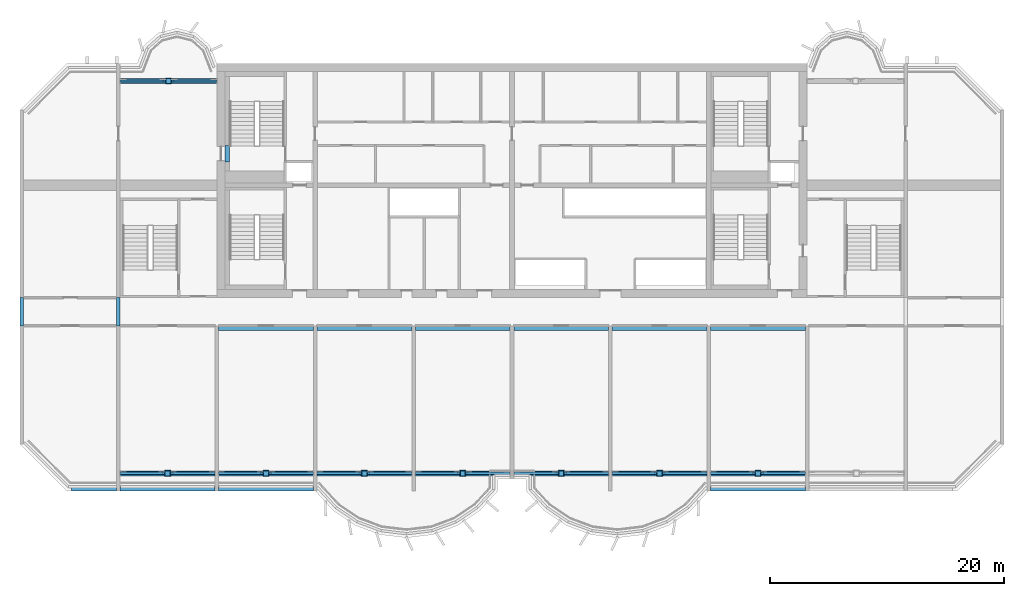
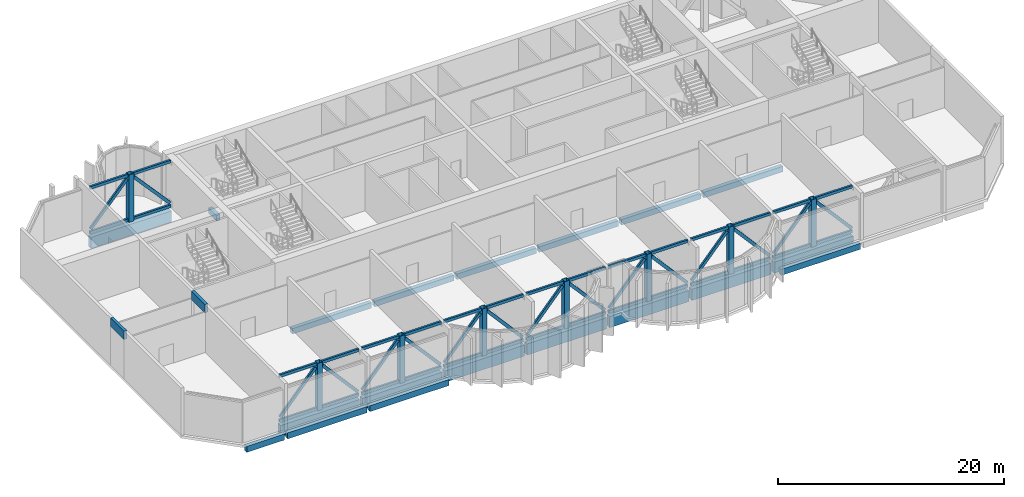
# One storey, part 1 of 15: 56 members, 21 beams.
"""IFC4 building model written with IfcOpenShell, lengths in metres."""

from ifc_helpers import new_model, si_unit, direction, frame, origin, origin_2d, place, context, subcontext, project, spatial, rectangle, hollow_rectangle, extrude, source, transform, mapped, material, material_profile, profile_set, type_object, element, save


model = new_model("IFC4")

# Units and contexts
model_context = context("Model", 3, precision=1e-05, world=origin(), true_north=direction((0.0, 1.0)))
body_context = subcontext(model_context, "Body", "Model", "MODEL_VIEW")
ifc_project = project(units=[si_unit("LENGTHUNIT", "METRE"), si_unit("AREAUNIT", "SQUARE_METRE"), si_unit("VOLUMEUNIT", "CUBIC_METRE"), si_unit("PLANEANGLEUNIT", "RADIAN"), si_unit("MASSUNIT", "GRAM", prefix="KILO")], contexts=[model_context])

# Site, building, storey
site_placement = place(None, origin())
site = spatial("IfcSite", under=ifc_project, at=site_placement, CompositionType="ELEMENT")
building_placement = place(site_placement, origin())
building = spatial("IfcBuilding", under=site, at=building_placement, Name="Vanashikhar Sky Hotel", CompositionType="ELEMENT")
storey_placement = place(building_placement, frame((0.0, 0.0, 201.0)))
storey = spatial("IfcBuildingStorey", under=building, at=storey_placement, Name="L49", CompositionType="ELEMENT", Elevation=201.0)

# Beams
ifc_material_1 = material(Name="Concrete M50", Category="concrete")
ifc_material_profile_1 = material_profile(ifc_material_1, rectangle(XDim=0.300048828125, YDim=0.89990234375, at=origin_2d()))
ifc_profile_set_1 = profile_set([ifc_material_profile_1], Name="RC 300x900 beam Concrete M50")
beam_type_1 = type_object("IfcBeamType", Name="RC 300x900 beam Concrete M50", PredefinedType="LINTEL", material=ifc_profile_set_1)
shared_shape_1 = source(origin(), body_context, "Body", "SweptSolid", [
    extrude(rectangle(XDim=0.300048828125, YDim=0.89990234375, at=origin_2d()), origin(), (0.0, 0.0, 1.0), 2.39990234375),
])
for number, where, z_axis, x_axis, name in (
    (1, (8.550048828125, 19.60009765625, 4.669921875), (0.0, 1.0, 0.0), (-1.0, 0.0, 0.0), "LB-L49-XW02"),
    (2, (16.800048828125, 19.60009765625, 4.669921875), (0.0, 1.0, 0.0), (-1.0, 0.0, 0.0), "LB-L49-XW03"),
):
    element("IfcBeam", number, at=place(storey_placement, frame(where, z_axis=z_axis, x_axis=x_axis)), inside=storey, type_object=beam_type_1, Name=name, PredefinedType="LINTEL", context=body_context, shape_type="MappedRepresentation", body=[
        mapped(shared_shape_1, transform((0.0, 0.0, 0.0), scale=1.0)),
    ])
ifc_material_profile_2 = material_profile(ifc_material_1, rectangle(XDim=0.39990234375, YDim=0.64990234375, at=origin_2d()))
ifc_profile_set_2 = profile_set([ifc_material_profile_2], Name="RC 400x650 beam Concrete M50")
beam_type_2 = type_object("IfcBeamType", Name="RC 400x650 beam Concrete M50", PredefinedType="BEAM", material=ifc_profile_set_2)
shared_shape_2 = source(origin(), body_context, "Body", "SweptSolid", [
    extrude(rectangle(XDim=0.39990234375, YDim=0.64990234375, at=origin_2d()), origin(), (0.0, 0.0, 1.0), 8.10009765625),
])
beam_1_placement = place(storey_placement, frame((16.949951171875, 5.699951171875, -0.60498046875), z_axis=(1.0, 0.0, 0.0), x_axis=(0.0, 1.0, 0.0)))
element("IfcBeam", 3, at=beam_1_placement, inside=storey, type_object=beam_type_2, Name="EB-L49-F01", PredefinedType="BEAM", context=body_context, shape_type="MappedRepresentation", body=[
    mapped(shared_shape_2, transform((0.0, 0.0, 0.0), scale=1.0)),
])
shared_shape_3 = source(origin(), body_context, "Body", "SweptSolid", [
    extrude(rectangle(XDim=0.39990234375, YDim=0.64990234375, at=origin_2d()), origin(), (0.0, 0.0, 1.0), 8.099853515625),
])
for number, where, z_axis, x_axis, name in (
    (4, (25.35009765625, 5.699951171875, -0.60498046875), (1.0, 0.0, 0.0), (0.0, 1.0, 0.0), "EB-L49-F02"),
    (5, (67.35009765625, 5.699951171875, -0.60498046875), (1.0, 0.0, 0.0), (0.0, 1.0, 0.0), "EB-L49-F04"),
):
    element("IfcBeam", number, at=place(storey_placement, frame(where, z_axis=z_axis, x_axis=x_axis)), inside=storey, type_object=beam_type_2, Name=name, PredefinedType="BEAM", context=body_context, shape_type="MappedRepresentation", body=[
        mapped(shared_shape_3, transform((0.0, 0.0, 0.0), scale=1.0)),
    ])
ifc_material_profile_3 = material_profile(ifc_material_1, rectangle(XDim=0.39990234375, YDim=0.64990234375, at=origin_2d()))
ifc_profile_set_3 = profile_set([ifc_material_profile_3], Name="RC 400x650 cantilever beam Concrete M50")
beam_type_3 = type_object("IfcBeamType", Name="RC 400x650 cantilever beam Concrete M50", PredefinedType="SPANDREL", material=ifc_profile_set_3)
shared_shape_4 = source(origin(), body_context, "Body", "SweptSolid", [
    extrude(rectangle(XDim=0.39990234375, YDim=0.64990234375, at=origin_2d()), origin(), (0.0, 0.0, 1.0), 3.849853515625),
])
beam_2_placement = place(storey_placement, frame((12.800048828125, 5.699951171875, -0.60498046875), z_axis=(1.0, 0.0, 0.0), x_axis=(0.0, 1.0, 0.0)))
element("IfcBeam", 6, at=beam_2_placement, inside=storey, type_object=beam_type_3, Name="EB-L49-F03", PredefinedType="SPANDREL", context=body_context, shape_type="MappedRepresentation", body=[
    mapped(shared_shape_4, transform((0.0, 0.0, 0.0), scale=1.0)),
])
ifc_material_profile_4 = material_profile(ifc_material_1, rectangle(XDim=0.39990234375, YDim=0.60009765625, at=origin_2d()))
ifc_profile_set_4 = profile_set([ifc_material_profile_4], Name="RC 400x600 beam Concrete M50")
beam_type_4 = type_object("IfcBeamType", Name="RC 400x600 beam Concrete M50", PredefinedType="BEAM", material=ifc_profile_set_4)
shared_shape_5 = source(origin(), body_context, "Body", "SweptSolid", [
    extrude(rectangle(XDim=0.39990234375, YDim=0.60009765625, at=origin_2d()), origin(), (0.0, 0.0, 1.0), 8.099853515625),
])
for number, where, z_axis, x_axis, name in (
    (7, (25.35009765625, 19.39990234375, -0.580078125), (1.0, 0.0, 0.0), (0.0, 1.0, 0.0), "CB-L49-01"),
    (8, (50.550048828125, 19.39990234375, -0.580078125), (1.0, 0.0, 0.0), (0.0, 1.0, 0.0), "CB-L49-04"),
    (9, (67.35009765625, 19.39990234375, -0.580078125), (1.0, 0.0, 0.0), (0.0, 1.0, 0.0), "CB-L49-06"),
):
    element("IfcBeam", number, at=place(storey_placement, frame(where, z_axis=z_axis, x_axis=x_axis)), inside=storey, type_object=beam_type_4, Name=name, PredefinedType="BEAM", context=body_context, shape_type="MappedRepresentation", body=[
        mapped(shared_shape_5, transform((0.0, 0.0, 0.0), scale=1.0)),
    ])
shared_shape_6 = source(origin(), body_context, "Body", "SweptSolid", [
    extrude(rectangle(XDim=0.39990234375, YDim=0.60009765625, at=origin_2d()), origin(), (0.0, 0.0, 1.0), 8.10009765625),
])
for number, where, z_axis, x_axis, name in (
    (10, (33.75, 19.39990234375, -0.580078125), (1.0, 0.0, 0.0), (0.0, 1.0, 0.0), "CB-L49-02"),
    (11, (42.14990234375, 19.39990234375, -0.580078125), (1.0, 0.0, 0.0), (0.0, 1.0, 0.0), "CB-L49-03"),
    (12, (58.949951171875, 19.39990234375, -0.580078125), (1.0, 0.0, 0.0), (0.0, 1.0, 0.0), "CB-L49-05"),
):
    element("IfcBeam", number, at=place(storey_placement, frame(where, z_axis=z_axis, x_axis=x_axis)), inside=storey, type_object=beam_type_4, Name=name, PredefinedType="BEAM", context=body_context, shape_type="MappedRepresentation", body=[
        mapped(shared_shape_6, transform((0.0, 0.0, 0.0), scale=1.0)),
    ])
ifc_material_profile_5 = material_profile(ifc_material_1, rectangle(XDim=0.449951171875, YDim=1.199951171875, at=origin_2d()))
ifc_profile_set_5 = profile_set([ifc_material_profile_5], Name="RC 450x1200 beam Concrete M50")
beam_type_5 = type_object("IfcBeamType", Name="RC 450x1200 beam Concrete M50", PredefinedType="BEAM", material=ifc_profile_set_5)
shared_shape_7 = source(origin(), body_context, "Body", "SweptSolid", [
    extrude(rectangle(XDim=0.449951171875, YDim=1.199951171875, at=origin_2d()), origin(), (0.0, 0.0, 1.0), 8.10009765625),
])
for number, where, z_axis, x_axis, name in (
    (13, (16.949951171875, 7.0, -0.8798828125), (1.0, 0.0, 0.0), (0.0, 1.0, 0.0), "TG-L49-F01"),
    (14, (33.75, 7.0, -0.8798828125), (1.0, 0.0, 0.0), (0.0, 1.0, 0.0), "TG-L49-F03"),
    (15, (42.14990234375, 7.0, -0.8798828125), (1.0, 0.0, 0.0), (0.0, 1.0, 0.0), "TG-L49-F04"),
    (16, (58.949951171875, 7.0, -0.8798828125), (1.0, 0.0, 0.0), (0.0, 1.0, 0.0), "TG-L49-F06"),
):
    element("IfcBeam", number, at=place(storey_placement, frame(where, z_axis=z_axis, x_axis=x_axis)), inside=storey, type_object=beam_type_5, Name=name, PredefinedType="BEAM", context=body_context, shape_type="MappedRepresentation", body=[
        mapped(shared_shape_7, transform((0.0, 0.0, 0.0), scale=1.0)),
    ])

# Members
ifc_material_2 = material(Name="Steel S355", Category="steel")
ifc_material_profile_6 = material_profile(ifc_material_2, hollow_rectangle(XDim=0.5, YDim=0.5, WallThickness=0.02490234375, at=origin_2d()))
ifc_profile_set_6 = profile_set([ifc_material_profile_6], Name="RHS 500x500x25 Steel S355")
member_type_1 = type_object("IfcMemberType", Name="RHS 500x500x25 Steel S355", PredefinedType="POST", material=ifc_profile_set_6)
shared_shape_8 = source(origin(), body_context, "Body", "SweptSolid", [
    extrude(hollow_rectangle(XDim=0.5, YDim=0.5, WallThickness=0.02490234375, at=origin_2d()), origin(), (0.0, 0.0, 1.0), 5.1201171875),
])
for number, where, z_axis, x_axis, name in (
    (17, (21.0, 7.0, 0.0), (0.0, 0.0, 1.0), (1.0, 0.0, 0.0), "BP-L49-F01"),
    (18, (29.39990234375, 7.0, 0.0), (0.0, 0.0, 1.0), (1.0, 0.0, 0.0), "BP-L49-F02"),
    (19, (37.800048828125, 7.0, 0.0), (0.0, 0.0, 1.0), (1.0, 0.0, 0.0), "BP-L49-F03"),
    (20, (46.199951171875, 7.0, 0.0), (0.0, 0.0, 1.0), (1.0, 0.0, 0.0), "BP-L49-F04"),
    (21, (54.60009765625, 7.0, 0.0), (0.0, 0.0, 1.0), (1.0, 0.0, 0.0), "BP-L49-F05"),
    (22, (63.0, 7.0, 0.0), (0.0, 0.0, 1.0), (1.0, 0.0, 0.0), "BP-L49-F06"),
    (23, (71.39990234375, 7.0, 0.0), (0.0, 0.0, 1.0), (1.0, 0.0, 0.0), "BP-L49-F07"),
    (24, (21.074951171875, 40.5, 0.0), (0.0, 0.0, 1.0), (1.0, 0.0, 0.0), "BP-L49-R09"),
):
    element("IfcMember", number, at=place(storey_placement, frame(where, z_axis=z_axis, x_axis=x_axis)), inside=storey, type_object=member_type_1, Name=name, PredefinedType="POST", context=body_context, shape_type="MappedRepresentation", body=[
        mapped(shared_shape_8, transform((0.0, 0.0, 0.0), scale=1.0)),
    ])
ifc_material_profile_7 = material_profile(ifc_material_2, hollow_rectangle(XDim=0.199951171875, YDim=0.300048828125, WallThickness=0.011962890625, at=origin_2d()))
ifc_profile_set_7 = profile_set([ifc_material_profile_7], Name="RHS 300x200x12 Steel S355")
member_type_2 = type_object("IfcMemberType", Name="RHS 300x200x12 Steel S355", PredefinedType="BRACE", material=ifc_profile_set_7)
shared_shape_9 = source(origin(), body_context, "Body", "SweptSolid", [
    extrude(hollow_rectangle(XDim=0.199951171875, YDim=0.300048828125, WallThickness=0.011962890625, at=origin_2d()), origin(), (0.0, 0.0, 1.0), 3.800048828125),
])
for number, where, z_axis, x_axis, name in (
    (25, (16.949951171875, 7.0, 0.14990234375), (1.0, 0.0, 0.0), (0.0, 1.0, 0.0), "BC-L49-F01BL"),
    (26, (21.25, 7.0, 0.14990234375), (1.0, 0.0, 0.0), (0.0, 1.0, 0.0), "BC-L49-F01BR"),
    (27, (16.949951171875, 7.0, 4.969970703125), (1.0, 0.0, 0.0), (0.0, 1.0, 0.0), "BC-L49-F01TL"),
    (28, (21.25, 7.0, 4.969970703125), (1.0, 0.0, 0.0), (0.0, 1.0, 0.0), "BC-L49-F01TR"),
    (29, (29.64990234375, 7.0, 0.14990234375), (1.0, 0.0, 0.0), (0.0, 1.0, 0.0), "BC-L49-F02BR"),
    (30, (29.64990234375, 7.0, 4.969970703125), (1.0, 0.0, 0.0), (0.0, 1.0, 0.0), "BC-L49-F02TR"),
    (31, (33.75, 7.0, 0.14990234375), (1.0, 0.0, 0.0), (0.0, 1.0, 0.0), "BC-L49-F03BL"),
    (32, (38.050048828125, 7.0, 0.14990234375), (1.0, 0.0, 0.0), (0.0, 1.0, 0.0), "BC-L49-F03BR"),
    (33, (33.75, 7.0, 4.969970703125), (1.0, 0.0, 0.0), (0.0, 1.0, 0.0), "BC-L49-F03TL"),
    (34, (38.050048828125, 7.0, 4.969970703125), (1.0, 0.0, 0.0), (0.0, 1.0, 0.0), "BC-L49-F03TR"),
    (35, (42.14990234375, 7.0, 0.14990234375), (1.0, 0.0, 0.0), (0.0, 1.0, 0.0), "BC-L49-F04BL"),
    (36, (46.449951171875, 7.0, 0.14990234375), (1.0, 0.0, 0.0), (0.0, 1.0, 0.0), "BC-L49-F04BR"),
    (37, (42.14990234375, 7.0, 4.969970703125), (1.0, 0.0, 0.0), (0.0, 1.0, 0.0), "BC-L49-F04TL"),
    (38, (46.449951171875, 7.0, 4.969970703125), (1.0, 0.0, 0.0), (0.0, 1.0, 0.0), "BC-L49-F04TR"),
    (39, (50.550048828125, 7.0, 0.14990234375), (1.0, 0.0, 0.0), (0.0, 1.0, 0.0), "BC-L49-F05BL"),
    (40, (50.550048828125, 7.0, 4.969970703125), (1.0, 0.0, 0.0), (0.0, 1.0, 0.0), "BC-L49-F05TL"),
    (41, (58.949951171875, 7.0, 0.14990234375), (1.0, 0.0, 0.0), (0.0, 1.0, 0.0), "BC-L49-F06BL"),
    (42, (63.25, 7.0, 0.14990234375), (1.0, 0.0, 0.0), (0.0, 1.0, 0.0), "BC-L49-F06BR"),
    (43, (58.949951171875, 7.0, 4.969970703125), (1.0, 0.0, 0.0), (0.0, 1.0, 0.0), "BC-L49-F06TL"),
    (44, (63.25, 7.0, 4.969970703125), (1.0, 0.0, 0.0), (0.0, 1.0, 0.0), "BC-L49-F06TR"),
    (45, (71.64990234375, 7.0, 0.14990234375), (1.0, 0.0, 0.0), (0.0, 1.0, 0.0), "BC-L49-F07BR"),
    (46, (71.64990234375, 7.0, 4.969970703125), (1.0, 0.0, 0.0), (0.0, 1.0, 0.0), "BC-L49-F07TR"),
):
    element("IfcMember", number, at=place(storey_placement, frame(where, z_axis=z_axis, x_axis=x_axis)), inside=storey, type_object=member_type_2, Name=name, PredefinedType="CHORD", context=body_context, shape_type="MappedRepresentation", body=[
        mapped(shared_shape_9, transform((0.0, 0.0, 0.0), scale=1.0)),
    ])
shared_shape_10 = source(origin(), body_context, "Body", "SweptSolid", [
    extrude(hollow_rectangle(XDim=0.199951171875, YDim=0.300048828125, WallThickness=0.011962890625, at=origin_2d()), origin(), (0.0, 0.0, 1.0), 5.484375),
])
for number, where, z_axis, x_axis, name in (
    (47, (17.0400390625, 7.0, 0.5), (0.660028594275, 0.0, 0.751240477304), (0.0, 1.0, 0.0), "BD-L49-F01L"),
    (48, (24.9599609375, 7.0, 0.5), (-0.660028594275, 0.0, 0.751240477304), (0.0, -1.0, 0.0), "BD-L49-F01R"),
    (49, (33.840087890625, 7.0, 0.5), (0.660028594275, 0.0, 0.751240477304), (0.0, 1.0, 0.0), "BD-L49-F03L"),
    (50, (50.159912109375, 7.0, 0.5), (-0.660028594275, 0.0, 0.751240477304), (0.0, -1.0, 0.0), "BD-L49-F04R"),
    (51, (59.0400390625, 7.0, 0.5), (0.660028594275, 0.0, 0.751240477304), (0.0, 1.0, 0.0), "BD-L49-F06L"),
    (52, (66.9599609375, 7.0, 0.5), (-0.660028594275, 0.0, 0.751240477304), (0.0, -1.0, 0.0), "BD-L49-F06R"),
):
    element("IfcMember", number, at=place(storey_placement, frame(where, z_axis=z_axis, x_axis=x_axis)), inside=storey, type_object=member_type_2, Name=name, PredefinedType="BRACE", context=body_context, shape_type="MappedRepresentation", body=[
        mapped(shared_shape_10, transform((0.0, 0.0, 0.0), scale=1.0)),
    ])

# Beams
shared_shape_11 = source(origin(), body_context, "Body", "SweptSolid", [
    extrude(rectangle(XDim=0.449951171875, YDim=1.199951171875, at=origin_2d()), origin(), (0.0, 0.0, 1.0), 8.099853515625),
])
for number, where, z_axis, x_axis, name in (
    (53, (25.35009765625, 7.0, -0.8798828125), (1.0, 0.0, 0.0), (0.0, 1.0, 0.0), "TG-L49-F02"),
    (54, (50.550048828125, 7.0, -0.8798828125), (1.0, 0.0, 0.0), (0.0, 1.0, 0.0), "TG-L49-F05"),
    (55, (67.35009765625, 7.0, -0.8798828125), (1.0, 0.0, 0.0), (0.0, 1.0, 0.0), "TG-L49-F07"),
):
    element("IfcBeam", number, at=place(storey_placement, frame(where, z_axis=z_axis, x_axis=x_axis)), inside=storey, type_object=beam_type_5, Name=name, PredefinedType="BEAM", context=body_context, shape_type="MappedRepresentation", body=[
        mapped(shared_shape_11, transform((0.0, 0.0, 0.0), scale=1.0)),
    ])

# Members
shared_shape_12 = source(origin(), body_context, "Body", "SweptSolid", [
    extrude(hollow_rectangle(XDim=0.199951171875, YDim=0.300048828125, WallThickness=0.011962890625, at=origin_2d()), origin(), (0.0, 0.0, 1.0), 3.7998046875),
])
for number, where, z_axis, x_axis, name in (
    (56, (25.35009765625, 7.0, 0.14990234375), (1.0, 0.0, 0.0), (0.0, 1.0, 0.0), "BC-L49-F02BL"),
    (57, (25.35009765625, 7.0, 4.969970703125), (1.0, 0.0, 0.0), (0.0, 1.0, 0.0), "BC-L49-F02TL"),
    (58, (54.85009765625, 7.0, 0.14990234375), (1.0, 0.0, 0.0), (0.0, 1.0, 0.0), "BC-L49-F05BR"),
    (59, (54.85009765625, 7.0, 4.969970703125), (1.0, 0.0, 0.0), (0.0, 1.0, 0.0), "BC-L49-F05TR"),
    (60, (67.35009765625, 7.0, 0.14990234375), (1.0, 0.0, 0.0), (0.0, 1.0, 0.0), "BC-L49-F07BL"),
    (61, (67.35009765625, 7.0, 4.969970703125), (1.0, 0.0, 0.0), (0.0, 1.0, 0.0), "BC-L49-F07TL"),
):
    element("IfcMember", number, at=place(storey_placement, frame(where, z_axis=z_axis, x_axis=x_axis)), inside=storey, type_object=member_type_2, Name=name, PredefinedType="CHORD", context=body_context, shape_type="MappedRepresentation", body=[
        mapped(shared_shape_12, transform((0.0, 0.0, 0.0), scale=1.0)),
    ])
shared_shape_13 = source(origin(), body_context, "Body", "SweptSolid", [
    extrude(hollow_rectangle(XDim=0.199951171875, YDim=0.300048828125, WallThickness=0.011962890625, at=origin_2d()), origin(), (0.0, 0.0, 1.0), 5.484619140625),
])
for number, where, z_axis, x_axis, name in (
    (62, (25.43994140625, 7.0, 0.5), (0.660053715932, 0.0, 0.751218405049), (0.0, 1.0, 0.0), "BD-L49-F02L"),
    (63, (33.360107421875, 7.0, 0.5), (-0.660053715932, 0.0, 0.751218405049), (0.0, -1.0, 0.0), "BD-L49-F02R"),
    (64, (41.760009765625, 7.0, 0.5), (-0.660053715932, 0.0, 0.751218405049), (0.0, -1.0, 0.0), "BD-L49-F03R"),
    (65, (42.239990234375, 7.0, 0.5), (0.660053715932, 0.0, 0.751218405049), (0.0, 1.0, 0.0), "BD-L49-F04L"),
    (66, (50.639892578125, 7.0, 0.5), (0.660053715932, 0.0, 0.751218405049), (0.0, 1.0, 0.0), "BD-L49-F05L"),
    (67, (58.56005859375, 7.0, 0.5), (-0.660053715932, 0.0, 0.751218405049), (0.0, -1.0, 0.0), "BD-L49-F05R"),
    (68, (67.43994140625, 7.0, 0.5), (0.660053715932, 0.0, 0.751218405049), (0.0, 1.0, 0.0), "BD-L49-F07L"),
    (69, (75.360107421875, 7.0, 0.5), (-0.660053715932, 0.0, 0.751218405049), (0.0, -1.0, 0.0), "BD-L49-F07R"),
):
    element("IfcMember", number, at=place(storey_placement, frame(where, z_axis=z_axis, x_axis=x_axis)), inside=storey, type_object=member_type_2, Name=name, PredefinedType="BRACE", context=body_context, shape_type="MappedRepresentation", body=[
        mapped(shared_shape_13, transform((0.0, 0.0, 0.0), scale=1.0)),
    ])

# Beam
shared_shape_14 = source(origin(), body_context, "Body", "SweptSolid", [
    extrude(rectangle(XDim=0.449951171875, YDim=1.199951171875, at=origin_2d()), origin(), (0.0, 0.0, 1.0), 8.25),
])
beam_3_placement = place(storey_placement, frame((16.949951171875, 40.5, -0.8798828125), z_axis=(1.0, 0.0, 0.0), x_axis=(0.0, 1.0, 0.0)))
element("IfcBeam", 70, at=beam_3_placement, inside=storey, type_object=beam_type_5, Name="TG-L49-R09", PredefinedType="BEAM", context=body_context, shape_type="MappedRepresentation", body=[
    mapped(shared_shape_14, transform((0.0, 0.0, 0.0), scale=1.0)),
])

# Members
shared_shape_15 = source(origin(), body_context, "Body", "SweptSolid", [
    extrude(hollow_rectangle(XDim=0.199951171875, YDim=0.300048828125, WallThickness=0.011962890625, at=origin_2d()), origin(), (0.0, 0.0, 1.0), 3.875),
])
for number, where, z_axis, x_axis, name in (
    (71, (16.949951171875, 40.5, 0.14990234375), (1.0, 0.0, 0.0), (0.0, 1.0, 0.0), "BC-L49-R09BL"),
    (72, (21.324951171875, 40.5, 0.14990234375), (1.0, 0.0, 0.0), (0.0, 1.0, 0.0), "BC-L49-R09BR"),
    (73, (16.949951171875, 40.5, 4.969970703125), (1.0, 0.0, 0.0), (0.0, 1.0, 0.0), "BC-L49-R09TL"),
    (74, (21.324951171875, 40.5, 4.969970703125), (1.0, 0.0, 0.0), (0.0, 1.0, 0.0), "BC-L49-R09TR"),
):
    element("IfcMember", number, at=place(storey_placement, frame(where, z_axis=z_axis, x_axis=x_axis)), inside=storey, type_object=member_type_2, Name=name, PredefinedType="CHORD", context=body_context, shape_type="MappedRepresentation", body=[
        mapped(shared_shape_15, transform((0.0, 0.0, 0.0), scale=1.0)),
    ])
shared_shape_16 = source(origin(), body_context, "Body", "SweptSolid", [
    extrude(hollow_rectangle(XDim=0.199951171875, YDim=0.300048828125, WallThickness=0.011962890625, at=origin_2d()), origin(), (0.0, 0.0, 1.0), 5.534423828125),
])
for number, where, z_axis, x_axis, name in (
    (75, (17.0400390625, 40.5, 0.5), (0.667662227448, 0.0, 0.744464337655), (0.0, 1.0, 0.0), "BD-L49-R09L"),
    (76, (25.110107421875, 40.5, 0.5), (-0.667662227448, 0.0, 0.744464337655), (0.0, -1.0, 0.0), "BD-L49-R09R"),
):
    element("IfcMember", number, at=place(storey_placement, frame(where, z_axis=z_axis, x_axis=x_axis)), inside=storey, type_object=member_type_2, Name=name, PredefinedType="BRACE", context=body_context, shape_type="MappedRepresentation", body=[
        mapped(shared_shape_16, transform((0.0, 0.0, 0.0), scale=1.0)),
    ])

# Beam
ifc_material_profile_8 = material_profile(ifc_material_1, rectangle(XDim=0.39990234375, YDim=0.60009765625, at=origin_2d()))
ifc_profile_set_8 = profile_set([ifc_material_profile_8], Name="Lintel RC 400x600 Concrete M50")
beam_type_6 = type_object("IfcBeamType", Name="Lintel RC 400x600 Concrete M50", PredefinedType="LINTEL", material=ifc_profile_set_8)
shared_shape_17 = source(origin(), body_context, "Body", "SweptSolid", [
    extrude(rectangle(XDim=0.39990234375, YDim=0.60009765625, at=origin_2d()), origin(), (0.0, 0.0, 1.0), 1.39990234375),
])
beam_4_placement = place(storey_placement, frame((26.10009765625, 33.60009765625, 2.699951171875), z_axis=(0.0, 1.0, 0.0), x_axis=(-1.0, 0.0, 0.0)))
element("IfcBeam", 77, at=beam_4_placement, inside=storey, type_object=beam_type_6, Name="Stair door lintel", PredefinedType="LINTEL", context=body_context, shape_type="MappedRepresentation", body=[
    mapped(shared_shape_17, transform((0.0, 0.0, 0.0), scale=1.0)),
])

save(model, "model.ifc")
